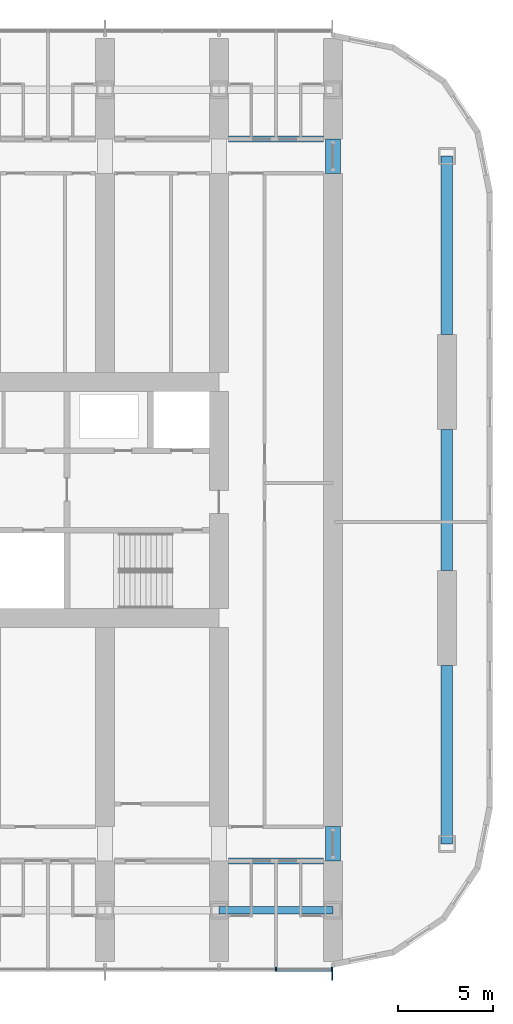
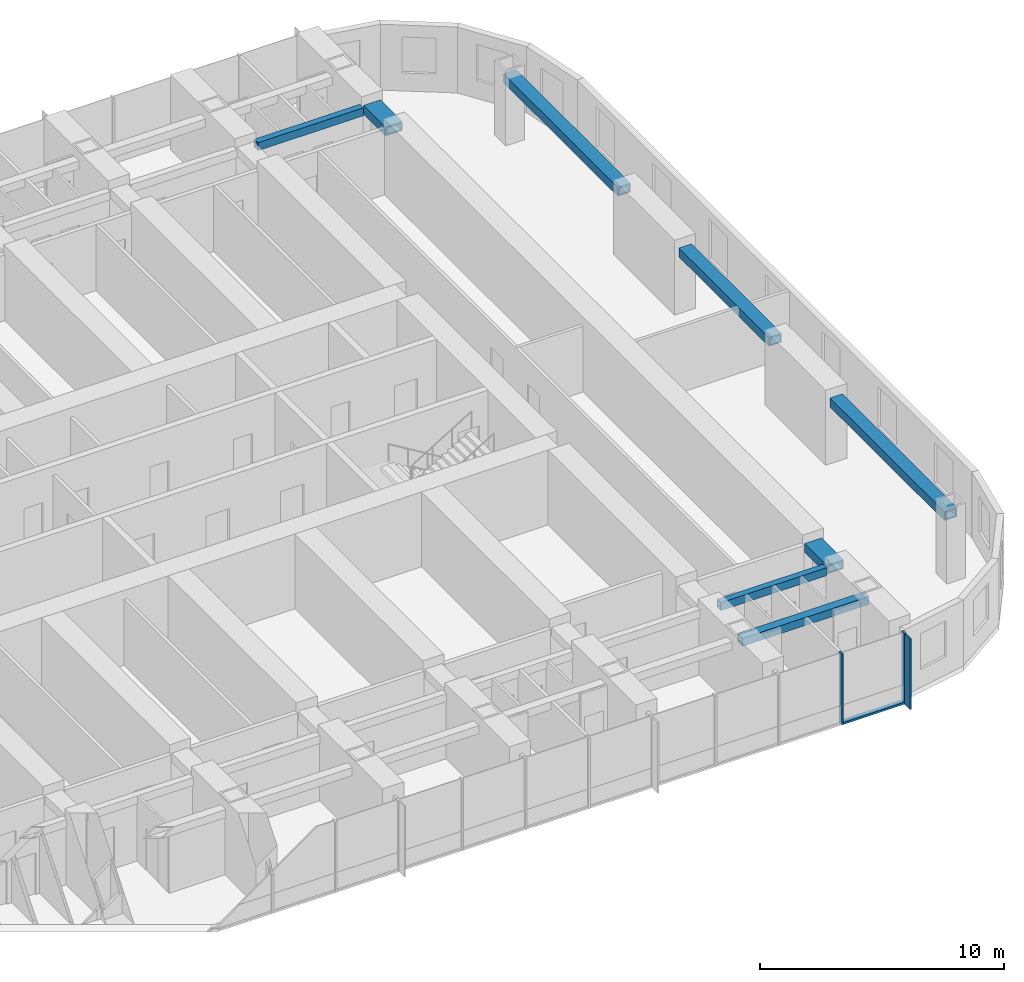
# One storey, part 6 of 23: 8 beams, 4 members, 1 element without a shape of its own.
"""IFC4 building model written with IfcOpenShell, lengths in metres."""

from ifc_helpers import new_model, si_unit, direction, frame, origin, origin_2d, place, context, subcontext, project, spatial, rectangle, hollow_rectangle, extrude, material, material_profile, profile_set, type_object, element, aggregate, save


model = new_model("IFC4")

# Units and contexts
model_context = context("Model", 3, precision=1e-05, world=origin(), true_north=direction((0.0, 1.0)))
body_context = subcontext(model_context, "Body", "Model", "MODEL_VIEW")
ifc_project = project(units=[si_unit("LENGTHUNIT", "METRE"), si_unit("AREAUNIT", "SQUARE_METRE"), si_unit("VOLUMEUNIT", "CUBIC_METRE"), si_unit("PLANEANGLEUNIT", "RADIAN"), si_unit("MASSUNIT", "GRAM", prefix="KILO")], contexts=[model_context])

# Site, building, storey
site_placement = place(None, origin())
site = spatial("IfcSite", under=ifc_project, at=site_placement, CompositionType="ELEMENT")
building_placement = place(site_placement, origin())
building = spatial("IfcBuilding", under=site, at=building_placement, Name="Orbita Commons", CompositionType="ELEMENT")
storey_placement = place(building_placement, frame((0.0, 0.0, 50.199951171875)))
storey = spatial("IfcBuildingStorey", under=building, at=storey_placement, Name="L12", CompositionType="ELEMENT", Elevation=50.199951171875)

# Curtain wall, members
ifc_material_1 = material(Name="Anodised aluminium frame, pale silver", Category="aluminium")
curtain_wall_type = type_object("IfcCurtainWallType", Name="Unitised curtain wall CW-T, vision and spandrel", PredefinedType="NOTDEFINED", material=ifc_material_1)
curtain_wall_placement = place(storey_placement, origin())
curtain_wall = element("IfcCurtainWall", 1, at=curtain_wall_placement, inside=storey, type_object=curtain_wall_type, Name="Curtain wall south L12", PredefinedType="NOTDEFINED")
ifc_material_2 = material(Name="Anodised aluminium, pale silver", Category="aluminium")
ifc_material_profile_1 = material_profile(ifc_material_2, rectangle(XDim=0.080078125, YDim=0.219970703125, at=origin_2d()), Name="AL 80x220")
ifc_profile_set_1 = profile_set([ifc_material_profile_1], Name="Anodised aluminium, pale silver")
member_type_1 = type_object("IfcMemberType", Name="Curtain wall mullion 80x220", PredefinedType="MULLION", material=ifc_profile_set_1)
member_1_placement = place(storey_placement, frame((69.0, 7.2900390625, -0.25), z_axis=(0.0, 0.0, 1.0), x_axis=(1.0, 0.0, 0.0)))
member_1 = element("IfcMember", 2, at=member_1_placement, type_object=member_type_1, Name="Mullion 20 CW-L12-S", PredefinedType="MULLION", context=body_context, shape_type="SweptSolid", body=[
    extrude(rectangle(XDim=0.080078125, YDim=0.219970703125, at=origin_2d()), origin(), (0.0, 0.0, 1.0), 3.550048828125),
])
member_2_placement = place(storey_placement, frame((71.9599609375, 7.2900390625, -0.25), z_axis=(0.0, 0.0, 1.0), x_axis=(1.0, 0.0, 0.0)))
member_2 = element("IfcMember", 3, at=member_2_placement, type_object=member_type_1, Name="Mullion 21 CW-L12-S", PredefinedType="MULLION", context=body_context, shape_type="SweptSolid", body=[
    extrude(rectangle(XDim=0.080078125, YDim=0.219970703125, at=origin_2d()), origin(), (0.0, 0.0, 1.0), 3.550048828125),
])
ifc_material_3 = material(Name="Anodised aluminium, pale silver", Category="aluminium")
ifc_material_profile_2 = material_profile(ifc_material_3, rectangle(XDim=0.219970703125, YDim=0.10009765625, at=origin_2d()), Name="AL 220x100")
ifc_profile_set_2 = profile_set([ifc_material_profile_2], Name="Anodised aluminium, pale silver")
member_type_2 = type_object("IfcMemberType", Name="Curtain wall stack transom 220x100", PredefinedType="USERDEFINED", material=ifc_profile_set_2)
member_3_placement = place(storey_placement, frame((69.0400390625, 7.2900390625, -0.199951171875), z_axis=(1.0, 0.0, 0.0), x_axis=(0.0, 1.0, 0.0)))
member_3 = element("IfcMember", 4, at=member_3_placement, type_object=member_type_2, Name="Transom 20.1 CW-L12-S", ObjectType="TRANSOM", PredefinedType="USERDEFINED", context=body_context, shape_type="SweptSolid", body=[
    extrude(rectangle(XDim=0.219970703125, YDim=0.10009765625, at=origin_2d()), origin(), (0.0, 0.0, 1.0), 2.8798828125),
])

# Beams
ifc_material_4 = material(Name="Steel ASTM A572 Gr 50 welded plate", Category="steel")
ifc_material_profile_3 = material_profile(ifc_material_4, hollow_rectangle(XDim=0.300048828125, YDim=0.39990234375, WallThickness=0.0400390625, at=origin_2d()), Name="BOX 400x300x40")
ifc_profile_set_3 = profile_set([ifc_material_profile_3], Name="Steel ASTM A572 Gr 50 welded plate")
beam_type_1 = type_object("IfcBeamType", Name="Steel corridor link BOX 400x300x40", PredefinedType="BEAM", material=ifc_profile_set_3)
for number, where, z_axis, x_axis, name in (
    (5, (66.5, 13.0, 3.10009765625), (1.0, 0.0, 0.0), (0.0, 1.0, 0.0), "Corridor beam SA 12-13 L12"),
    (6, (66.5, 51.0, 3.10009765625), (1.0, 0.0, 0.0), (0.0, 1.0, 0.0), "Corridor beam NB 12-13 L12"),
):
    element("IfcBeam", number, at=place(storey_placement, frame(where, z_axis=z_axis, x_axis=x_axis)), inside=storey, type_object=beam_type_1, Name=name, PredefinedType="BEAM", context=body_context, shape_type="SweptSolid", body=[
        extrude(hollow_rectangle(XDim=0.300048828125, YDim=0.39990234375, WallThickness=0.0400390625, at=origin_2d()), origin(), (0.0, 0.0, 1.0), 5.0),
    ])
ifc_material_5 = material(Name="Steel ASTM A572 Gr 50 welded plate", Category="steel")
ifc_material_profile_4 = material_profile(ifc_material_5, hollow_rectangle(XDim=0.800048828125, YDim=0.449951171875, WallThickness=0.06005859375, at=origin_2d()), Name="BOX 450x800x60")
ifc_profile_set_4 = profile_set([ifc_material_profile_4], Name="Steel ASTM A572 Gr 50 welded plate")
beam_type_2 = type_object("IfcBeamType", Name="Steel coupling link BOX 450x800x60", PredefinedType="LINTEL", material=ifc_profile_set_4)
for number, where, z_axis, x_axis, name in (
    (7, (72.0, 13.0, 3.074951171875), (0.0, 1.0, 0.0), (-1.0, 0.0, 0.0), "Coupling beam 13 south L12"),
    (8, (72.0, 49.199951171875, 3.074951171875), (0.0, 1.0, 0.0), (-1.0, 0.0, 0.0), "Coupling beam 13 north L12"),
):
    element("IfcBeam", number, at=place(storey_placement, frame(where, z_axis=z_axis, x_axis=x_axis)), inside=storey, type_object=beam_type_2, Name=name, PredefinedType="LINTEL", context=body_context, shape_type="SweptSolid", body=[
        extrude(hollow_rectangle(XDim=0.800048828125, YDim=0.449951171875, WallThickness=0.06005859375, at=origin_2d()), origin(), (0.0, 0.0, 1.0), 1.800048828125),
    ])
ifc_material_6 = material(Name="Steel ASTM A572 Gr 50 welded plate", Category="steel")
ifc_material_profile_5 = material_profile(ifc_material_6, hollow_rectangle(XDim=0.60009765625, YDim=0.449951171875, WallThickness=0.06005859375, at=origin_2d()), Name="BOX 450x600x60")
ifc_profile_set_5 = profile_set([ifc_material_profile_5], Name="Steel ASTM A572 Gr 50 welded plate")
beam_type_3 = type_object("IfcBeamType", Name="Steel end frame link BOX 450x600x60", PredefinedType="BEAM", material=ifc_profile_set_5)
beam_1_placement = place(storey_placement, frame((78.0, 13.89990234375, 3.074951171875), z_axis=(0.0, 1.0, 0.0), x_axis=(-1.0, 0.0, 0.0)))
element("IfcBeam", 9, at=beam_1_placement, inside=storey, type_object=beam_type_3, Name="End frame beam 14 B-C L12", PredefinedType="BEAM", context=body_context, shape_type="SweptSolid", body=[
    extrude(hollow_rectangle(XDim=0.60009765625, YDim=0.449951171875, WallThickness=0.06005859375, at=origin_2d()), origin(), (0.0, 0.0, 1.0), 9.400146484375),
])
beam_2_placement = place(storey_placement, frame((78.0, 28.300048828125, 3.074951171875), z_axis=(0.0, 1.0, 0.0), x_axis=(-1.0, 0.0, 0.0)))
element("IfcBeam", 10, at=beam_2_placement, inside=storey, type_object=beam_type_3, Name="End frame beam 14 C-D L12", PredefinedType="BEAM", context=body_context, shape_type="SweptSolid", body=[
    extrude(hollow_rectangle(XDim=0.60009765625, YDim=0.449951171875, WallThickness=0.06005859375, at=origin_2d()), origin(), (0.0, 0.0, 1.0), 7.39990234375),
])
beam_3_placement = place(storey_placement, frame((78.0, 40.699951171875, 3.074951171875), z_axis=(0.0, 1.0, 0.0), x_axis=(-1.0, 0.0, 0.0)))
element("IfcBeam", 11, at=beam_3_placement, inside=storey, type_object=beam_type_3, Name="End frame beam 14 D-E L12", PredefinedType="BEAM", context=body_context, shape_type="SweptSolid", body=[
    extrude(hollow_rectangle(XDim=0.60009765625, YDim=0.449951171875, WallThickness=0.06005859375, at=origin_2d()), origin(), (0.0, 0.0, 1.0), 9.400146484375),
])
ifc_material_7 = material(Name="Steel ASTM A572 Gr 50 welded plate", Category="steel")
ifc_material_profile_6 = material_profile(ifc_material_7, hollow_rectangle(XDim=0.39990234375, YDim=0.39990234375, WallThickness=0.0400390625, at=origin_2d()), Name="BOX 400x400x40")
ifc_profile_set_6 = profile_set([ifc_material_profile_6], Name="Steel ASTM A572 Gr 50 welded plate")
beam_type_4 = type_object("IfcBeamType", Name="Steel spandrel BOX 400x400x40", PredefinedType="SPANDREL", material=ifc_profile_set_6)
beam_4_placement = place(storey_placement, frame((66.0, 10.39990234375, 3.10009765625), z_axis=(1.0, 0.0, 0.0), x_axis=(0.0, 1.0, 0.0)))
element("IfcBeam", 12, at=beam_4_placement, inside=storey, type_object=beam_type_4, Name="Spandrel beam B 12-13 L12", PredefinedType="SPANDREL", context=body_context, shape_type="SweptSolid", body=[
    extrude(hollow_rectangle(XDim=0.39990234375, YDim=0.39990234375, WallThickness=0.0400390625, at=origin_2d()), origin(), (0.0, 0.0, 1.0), 6.0),
])

# Member
ifc_material_8 = material(Name="Anodised aluminium, pale silver", Category="aluminium")
ifc_material_profile_7 = material_profile(ifc_material_8, rectangle(XDim=0.06005859375, YDim=0.449951171875, at=origin_2d()), Name="FIN 60x450")
ifc_profile_set_7 = profile_set([ifc_material_profile_7], Name="Anodised aluminium, pale silver")
member_type_3 = type_object("IfcMemberType", Name="Vertical fin 60x450 pale aluminium", PredefinedType="USERDEFINED", material=ifc_profile_set_7)
member_4_placement = place(storey_placement, frame((71.9599609375, 6.955078125, -0.25), z_axis=(0.0, 0.0, 1.0), x_axis=(1.0, 0.0, 0.0)))
member_4 = element("IfcMember", 13, at=member_4_placement, type_object=member_type_3, Name="Fin 21 CW-L12-S", ObjectType="FIN", PredefinedType="USERDEFINED", context=body_context, shape_type="SweptSolid", body=[
    extrude(rectangle(XDim=0.06005859375, YDim=0.449951171875, at=origin_2d()), origin(), (0.0, 0.0, 1.0), 3.550048828125),
])

aggregate(curtain_wall, [member_1, member_2, member_4, member_3])

save(model, "model.ifc")
